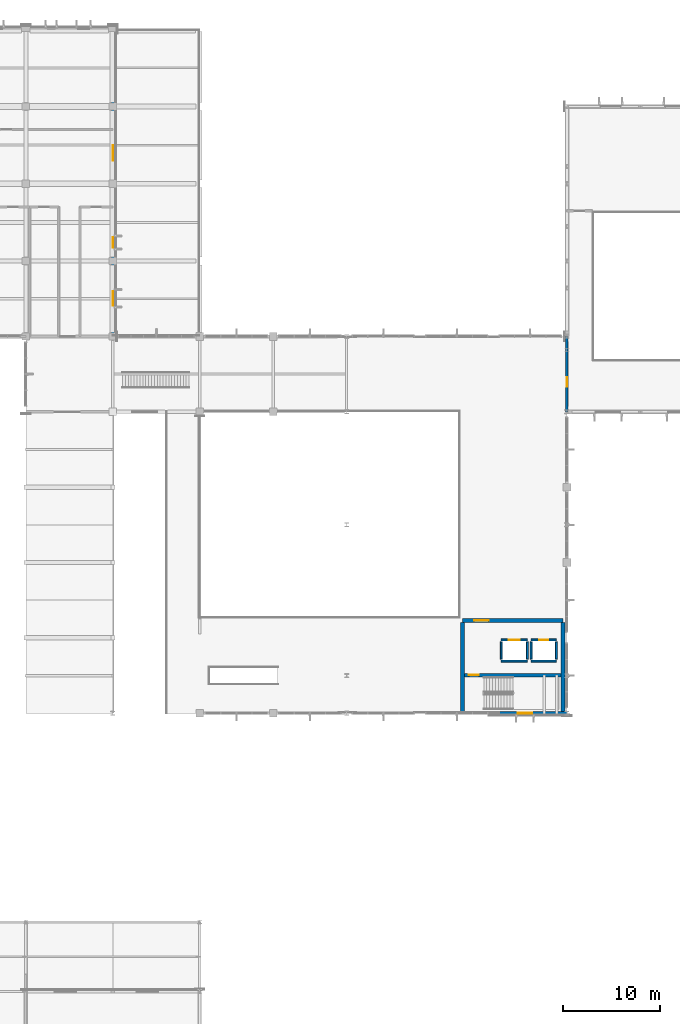
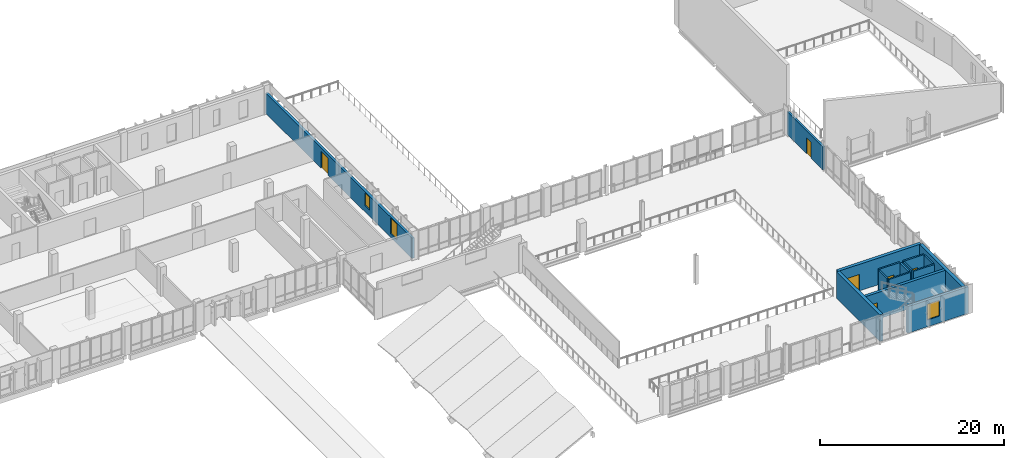
# One storey, part 45 of 64: 15 walls, 6 doors, 3 windows, 9 openings.
"""IFC4 building model written with IfcOpenShell, lengths in metres."""

from ifc_helpers import new_model, si_unit, direction, frame, frame_2d, origin, place, context, subcontext, project, spatial, rectangle, extrude, material, layer, layer_set, type_object, element, fill, save


model = new_model("IFC4")

# Units and contexts
model_context = context("Model", 3, precision=1e-05, world=origin(), true_north=direction((0.0, 1.0)))
body_context = subcontext(model_context, "Body", "Model", "MODEL_VIEW")
ifc_project = project(units=[si_unit("LENGTHUNIT", "METRE"), si_unit("AREAUNIT", "SQUARE_METRE"), si_unit("VOLUMEUNIT", "CUBIC_METRE"), si_unit("PLANEANGLEUNIT", "RADIAN"), si_unit("MASSUNIT", "GRAM", prefix="KILO")], contexts=[model_context])

# Site, building, storey
site_placement = place(None, origin())
site = spatial("IfcSite", under=ifc_project, at=site_placement, CompositionType="ELEMENT")
building_placement = place(site_placement, origin())
building = spatial("IfcBuilding", under=site, at=building_placement, Name="Vervanel Yard Central Library", CompositionType="ELEMENT")
storey_placement = place(building_placement, frame((0.0, 0.0, 8.93994140625)))
storey = spatial("IfcBuildingStorey", under=building, at=storey_placement, Name="L02", CompositionType="ELEMENT", Elevation=8.93994140625)

# Wall, opening, door
ifc_material_1 = material(Name="Concrete C40/50", Category="concrete")
ifc_layer_1 = layer(ifc_material_1, 0.25, Category="concrete")
ifc_layer_set_1 = layer_set([ifc_layer_1], Name="Concrete C40/50")
wall_type_1 = type_object("IfcWallType", Name="Acoustic Auditorium Wall 250", PredefinedType="PARTITIONING", material=ifc_layer_set_1)
wall_1_placement = place(storey_placement, frame((146.0, 74.39990234375, 0.0), z_axis=(0.0, 0.0, 1.0), x_axis=(0.0, 1.0, 0.0)))
wall_1 = element("IfcWall", 1, at=wall_1_placement, inside=storey, type_object=wall_type_1, Name="L02 Acoustic Auditorium Wall 250 IPART-L02-0088", PredefinedType="PARTITIONING", context=body_context, shape_type="SweptSolid", body=[
    extrude(rectangle(XDim=7.800048828125, YDim=0.25, at=frame_2d((3.89990234375, 0.0))), origin(), (0.0, 0.0, 1.0), 3.0576171875),
])
opening_1_placement = place(wall_1_placement, frame((2.60009765625, 0.0, 0.0)))
opening_1 = element("IfcOpeningElement", 2, at=opening_1_placement, cuts=wall_1, Name="Opening DR-01", PredefinedType="OPENING", context=body_context, shape_type="SweptSolid", body=[
    extrude(rectangle(XDim=1.0, YDim=2.14990234375, at=frame_2d((0.5, 1.074951171875))), frame((0.0, 0.135009765625, 0.0), z_axis=(0.0, -1.0, 0.0), x_axis=(1.0, 0.0, 0.0)), (0.0, 0.0, 1.0), 0.27001953125),
])
ifc_material_2 = material(Name="Solid white oak acoustic joinery", Category="wood")
door_type_1 = type_object("IfcDoorType", Name="Interior Single Door 1000x2150", OperationType="NOTDEFINED", PredefinedType="DOOR", material=ifc_material_2)
door_1_placement = place(opening_1_placement, origin())
door_1 = element("IfcDoor", 3, at=door_1_placement, inside=storey, type_object=door_type_1, Name="L02 Interior Single Door 1000x2150 IDOOR-L02-0069", OperationType="SINGLE_SWING_RIGHT", OverallHeight=2.14990234375, OverallWidth=1.0, PredefinedType="DOOR", context=body_context, shape_type="SweptSolid", body=[
    extrude(rectangle(XDim=1.0, YDim=2.14990234375, at=frame_2d((0.5, 1.074951171875))), frame((0.0, 0.02490234375, 0.0), z_axis=(0.0, -1.0, 0.0), x_axis=(1.0, 0.0, 0.0)), (0.0, 0.0, 1.0), 0.050048828125),
])
fill(opening_1, door_1)

# Wall, openings, windows, door
ifc_material_3 = material(Name="Precast concrete C45/55", Category="concrete")
ifc_layer_2 = layer(ifc_material_3, 0.300048828125, Category="concrete")
ifc_layer_set_2 = layer_set([ifc_layer_2], Name="Precast concrete C45/55")
wall_type_2 = type_object("IfcWallType", Name="Bush-Hammered Precast Cladding Wall 300", PredefinedType="SOLIDWALL", material=ifc_layer_set_2)
wall_2_placement = place(storey_placement, frame((99.0, 82.199951171875, 0.0), z_axis=(0.0, 0.0, 1.0), x_axis=(0.0, 1.0, 0.0)))
wall_2 = element("IfcWall", 4, at=wall_2_placement, inside=storey, type_object=wall_type_2, Name="L02 Bush-Hammered Precast Cladding Wall 300 EWALL-L02-0043", PredefinedType="SOLIDWALL", context=body_context, shape_type="SweptSolid", body=[
    extrude(rectangle(XDim=31.800048828125, YDim=0.300048828125, at=frame_2d((15.89990234375, 0.0))), origin(), (0.0, 0.0, 1.0), 2.695068359375),
])
opening_2_placement = place(wall_2_placement, frame((18.199951171875, 0.0, 0.0)))
opening_2 = element("IfcOpeningElement", 5, at=opening_2_placement, cuts=wall_2, Name="Opening DR-T01", PredefinedType="OPENING", context=body_context, shape_type="SweptSolid", body=[
    extrude(rectangle(XDim=1.60009765625, YDim=2.25, at=frame_2d((0.800048828125, 1.125))), frame((0.0, 0.159912109375, 0.0), z_axis=(0.0, -1.0, 0.0), x_axis=(1.0, 0.0, 0.0)), (0.0, 0.0, 1.0), 0.320068359375),
])
opening_3_placement = place(wall_2_placement, frame((3.199951171875, 0.0, 0.47509765625)))
opening_3 = element("IfcOpeningElement", 6, at=opening_3_placement, cuts=wall_2, Name="Opening WN-02", PredefinedType="OPENING", context=body_context, shape_type="SweptSolid", body=[
    extrude(rectangle(XDim=1.5, YDim=2.10009765625, at=frame_2d((0.75, 1.050048828125))), frame((0.0, 0.159912109375, 0.0), z_axis=(0.0, -1.0, 0.0), x_axis=(1.0, 0.0, 0.0)), (0.0, 0.0, 1.0), 0.320068359375),
])
opening_4_placement = place(wall_2_placement, frame((9.199951171875, 0.0, 0.824951171875)))
opening_4 = element("IfcOpeningElement", 7, at=opening_4_placement, cuts=wall_2, Name="Opening WN-16", PredefinedType="OPENING", context=body_context, shape_type="SweptSolid", body=[
    extrude(rectangle(XDim=1.050048828125, YDim=1.75, at=frame_2d((0.52490234375, 0.875))), frame((0.0, 0.159912109375, 0.0), z_axis=(0.0, -1.0, 0.0), x_axis=(1.0, 0.0, 0.0)), (0.0, 0.0, 1.0), 0.320068359375),
])
ifc_material_4 = material(Name="Double low-E laminated solar-control glass", Category="glass")
window_type_1 = type_object("IfcWindowType", Name="Reading Bay Window 1500x2100", PartitioningType="SINGLE_PANEL", PredefinedType="WINDOW", material=ifc_material_4)
window_1_placement = place(opening_3_placement, origin())
window_1 = element("IfcWindow", 8, at=window_1_placement, inside=storey, type_object=window_type_1, Name="L02 Reading Bay Window 1500x2100 60", OverallHeight=2.10009765625, OverallWidth=1.5, PartitioningType="SINGLE_PANEL", PredefinedType="WINDOW", context=body_context, shape_type="SweptSolid", body=[
    extrude(rectangle(XDim=1.5, YDim=2.10009765625, at=frame_2d((0.75, 1.050048828125))), frame((0.0, 0.030029296875, 0.0), z_axis=(0.0, -1.0, 0.0), x_axis=(1.0, 0.0, 0.0)), (0.0, 0.0, 1.0), 0.06005859375),
])
fill(opening_3, window_1)
ifc_material_5 = material(Name="Thermally broken anodized aluminium 6063-T6", Category="aluminium")
door_type_2 = type_object("IfcDoorType", Name="Roof Garden Terrace Double Door 1600x2250", OperationType="NOTDEFINED", PredefinedType="DOOR", material=ifc_material_5)
door_2_placement = place(opening_2_placement, frame((1.60009765625, 0.0, 0.0), z_axis=(0.0, 0.0, 1.0), x_axis=(-1.0, 0.0, 0.0)))
door_2 = element("IfcDoor", 9, at=door_2_placement, inside=storey, type_object=door_type_2, Name="L02 Roof Garden Terrace Double Door 1600x2250 10", OperationType="DOUBLE_DOOR_SINGLE_SWING", OverallHeight=2.25, OverallWidth=1.60009765625, PredefinedType="DOOR", context=body_context, shape_type="SweptSolid", body=[
    extrude(rectangle(XDim=1.60009765625, YDim=2.25, at=frame_2d((0.800048828125, 1.125))), frame((0.0, 0.02490234375, 0.0), z_axis=(0.0, -1.0, 0.0), x_axis=(1.0, 0.0, 0.0)), (0.0, 0.0, 1.0), 0.050048828125),
])
fill(opening_2, door_2)
window_type_2 = type_object("IfcWindowType", Name="Study Carrel Punch Window 1050x1750", PartitioningType="SINGLE_PANEL", PredefinedType="WINDOW", material=ifc_material_4)
window_2_placement = place(opening_4_placement, origin())
window_2 = element("IfcWindow", 10, at=window_2_placement, inside=storey, type_object=window_type_2, Name="L02 Study Carrel Punch Window 1050x1750 61", OverallHeight=1.75, OverallWidth=1.050048828125, PartitioningType="SINGLE_PANEL", PredefinedType="WINDOW", context=body_context, shape_type="SweptSolid", body=[
    extrude(rectangle(XDim=1.050048828125, YDim=1.75, at=frame_2d((0.52490234375, 0.875))), frame((0.0, 0.030029296875, 0.0), z_axis=(0.0, -1.0, 0.0), x_axis=(1.0, 0.0, 0.0)), (0.0, 0.0, 1.0), 0.06005859375),
])
fill(opening_4, window_2)

# Wall, opening, door
ifc_material_6 = material(Name="Concrete C45/55", Category="concrete")
ifc_layer_3 = layer(ifc_material_6, 0.39990234375, Category="concrete")
ifc_layer_set_3 = layer_set([ifc_layer_3], Name="Concrete C45/55")
wall_type_3 = type_object("IfcWallType", Name="Core Primary Shear Wall 400", PredefinedType="SHEAR", material=ifc_layer_set_3)
wall_3_placement = place(storey_placement, frame((135.199951171875, 52.800048828125, 0.0), z_axis=(0.0, 0.0, 1.0), x_axis=(1.0, 0.0, 0.0)))
wall_3 = element("IfcWall", 11, at=wall_3_placement, inside=storey, type_object=wall_type_3, Name="L02 CORE-E Shear Wall N", PredefinedType="SHEAR", context=body_context, shape_type="SweptSolid", body=[
    extrude(rectangle(XDim=10.400146484375, YDim=0.39990234375, at=frame_2d((5.2001953125, 0.0))), origin(), (0.0, 0.0, 1.0), 3.530029296875),
])
opening_5_placement = place(wall_3_placement, frame((1.199951171875, 0.0, 0.0)))
opening_5 = element("IfcOpeningElement", 12, at=opening_5_placement, cuts=wall_3, Name="Opening DR-F02", PredefinedType="OPENING", context=body_context, shape_type="SweptSolid", body=[
    extrude(rectangle(XDim=1.5, YDim=2.199951171875, at=frame_2d((0.75, 1.10009765625))), frame((0.0, 0.2099609375, 0.0), z_axis=(0.0, -1.0, 0.0), x_axis=(1.0, 0.0, 0.0)), (0.0, 0.0, 1.0), 0.419921875),
])
ifc_material_7 = material(Name="Galvanized painted steelwork ASTM A500 Grade C", Category="steel")
door_type_3 = type_object("IfcDoorType", Name="Fire-Rated Lobby Door 1500x2200", OperationType="NOTDEFINED", PredefinedType="DOOR", material=ifc_material_7)
door_3_placement = place(opening_5_placement, origin())
door_3 = element("IfcDoor", 13, at=door_3_placement, inside=storey, type_object=door_type_3, Name="L02 CORE-E Lobby Fire Door", OperationType="DOUBLE_DOOR_SINGLE_SWING", OverallHeight=2.199951171875, OverallWidth=1.5, PredefinedType="DOOR", context=body_context, shape_type="SweptSolid", body=[
    extrude(rectangle(XDim=1.5, YDim=2.199951171875, at=frame_2d((0.75, 1.10009765625))), frame((0.0, 0.02490234375, 0.0), z_axis=(0.0, -1.0, 0.0), x_axis=(1.0, 0.0, 0.0)), (0.0, 0.0, 1.0), 0.050048828125),
])
fill(opening_5, door_3)

# Walls
for number, where, z_axis, x_axis, name in (
    (14, (135.199951171875, 43.199951171875, 0.0), (0.0, 0.0, 1.0), (0.0, 1.0, 0.0), "L02 CORE-E Shear Wall W"),
    (15, (145.60009765625, 43.199951171875, 0.0), (0.0, 0.0, 1.0), (0.0, 1.0, 0.0), "L02 CORE-E Shear Wall E"),
):
    element("IfcWall", number, at=place(storey_placement, frame(where, z_axis=z_axis, x_axis=x_axis)), inside=storey, type_object=wall_type_3, Name=name, PredefinedType="SHEAR", context=body_context, shape_type="SweptSolid", body=[
        extrude(rectangle(XDim=9.400146484375, YDim=0.39990234375, at=frame_2d((4.7001953125, 0.0))), origin(), (0.0, 0.0, 1.0), 3.530029296875),
    ])

# Wall, opening, door
ifc_layer_4 = layer(ifc_material_6, 0.35009765625, Category="concrete")
ifc_layer_set_4 = layer_set([ifc_layer_4], Name="Concrete C45/55")
wall_type_4 = type_object("IfcWallType", Name="Core Secondary Shear Wall 350", PredefinedType="SHEAR", material=ifc_layer_set_4)
wall_4_placement = place(storey_placement, frame((135.39990234375, 47.135009765625, 0.0), z_axis=(0.0, 0.0, 1.0), x_axis=(1.0, 0.0, 0.0)))
wall_4 = element("IfcWall", 16, at=wall_4_placement, inside=storey, type_object=wall_type_4, Name="L02 CORE-E Stair Shaft Wall", PredefinedType="SHEAR", context=body_context, shape_type="SweptSolid", body=[
    extrude(rectangle(XDim=10.0, YDim=0.35009765625, at=frame_2d((5.0, 0.0))), origin(), (0.0, 0.0, 1.0), 3.530029296875),
])
opening_6_placement = place(wall_4_placement, frame((0.449951171875, 0.0, 0.0)))
opening_6 = element("IfcOpeningElement", 17, at=opening_6_placement, cuts=wall_4, Name="Opening DR-F01", PredefinedType="OPENING", context=body_context, shape_type="SweptSolid", body=[
    extrude(rectangle(XDim=1.050048828125, YDim=2.199951171875, at=frame_2d((0.52490234375, 1.10009765625))), frame((0.0, 0.18505859375, 0.0), z_axis=(0.0, -1.0, 0.0), x_axis=(1.0, 0.0, 0.0)), (0.0, 0.0, 1.0), 0.3701171875),
])
door_type_4 = type_object("IfcDoorType", Name="Fire-Rated Stair Exit Door 1050x2200", OperationType="NOTDEFINED", PredefinedType="DOOR", material=ifc_material_7)
door_4_placement = place(opening_6_placement, origin())
door_4 = element("IfcDoor", 18, at=door_4_placement, inside=storey, type_object=door_type_4, Name="L02 CORE-E Stair Door", OperationType="SINGLE_SWING_LEFT", OverallHeight=2.199951171875, OverallWidth=1.050048828125, PredefinedType="DOOR", context=body_context, shape_type="SweptSolid", body=[
    extrude(rectangle(XDim=1.050048828125, YDim=2.199951171875, at=frame_2d((0.52490234375, 1.10009765625))), frame((0.0, 0.02490234375, 0.0), z_axis=(0.0, -1.0, 0.0), x_axis=(1.0, 0.0, 0.0)), (0.0, 0.0, 1.0), 0.050048828125),
])
fill(opening_6, door_4)

# Wall, opening, window
ifc_layer_5 = layer(ifc_material_6, 0.340087890625, Category="concrete")
ifc_layer_set_5 = layer_set([ifc_layer_5], Name="Concrete C45/55")
wall_type_5 = type_object("IfcWallType", Name="Exterior Bearing Concrete Frame Wall 340", PredefinedType="SOLIDWALL", material=ifc_layer_set_5)
wall_5_placement = place(storey_placement, frame((138.39990234375, 43.199951171875, 0.0), z_axis=(0.0, 0.0, 1.0), x_axis=(1.0, 0.0, 0.0)))
wall_5 = element("IfcWall", 19, at=wall_5_placement, inside=storey, type_object=wall_type_5, Name="L02 Exterior Bearing Concrete Frame Wall 340 EWALL-L02-0164", PredefinedType="SOLIDWALL", context=body_context, shape_type="SweptSolid", body=[
    extrude(rectangle(XDim=7.60009765625, YDim=0.340087890625, at=frame_2d((3.800048828125, 0.0))), origin(), (0.0, 0.0, 1.0), 3.530029296875),
])
opening_7_placement = place(wall_5_placement, frame((2.5, 0.0, 0.89990234375)))
opening_7 = element("IfcOpeningElement", 20, at=opening_7_placement, cuts=wall_5, Name="Opening WN-02", PredefinedType="OPENING", context=body_context, shape_type="SweptSolid", body=[
    extrude(rectangle(XDim=1.5, YDim=2.10009765625, at=frame_2d((0.75, 1.050048828125))), frame((0.0, 0.179931640625, 0.0), z_axis=(0.0, -1.0, 0.0), x_axis=(1.0, 0.0, 0.0)), (0.0, 0.0, 1.0), 0.360107421875),
])
window_3_placement = place(opening_7_placement, origin())
window_3 = element("IfcWindow", 21, at=window_3_placement, inside=storey, type_object=window_type_1, Name="L02 Reading Bay Window 1500x2100 215", OverallHeight=2.10009765625, OverallWidth=1.5, PartitioningType="SINGLE_PANEL", PredefinedType="WINDOW", context=body_context, shape_type="SweptSolid", body=[
    extrude(rectangle(XDim=1.5, YDim=2.10009765625, at=frame_2d((0.75, 1.050048828125))), frame((0.0, 0.030029296875, 0.0), z_axis=(0.0, -1.0, 0.0), x_axis=(1.0, 0.0, 0.0)), (0.0, 0.0, 1.0), 0.06005859375),
])
fill(opening_7, window_3)

# Wall
ifc_layer_6 = layer(ifc_material_1, 0.199951171875, Category="concrete")
ifc_layer_set_6 = layer_set([ifc_layer_6], Name="Concrete C40/50")
wall_type_6 = type_object("IfcWallType", Name="Shaft & Plant Rated Wall 200", PredefinedType="PARTITIONING", material=ifc_layer_set_6)
wall_6_placement = place(storey_placement, frame((139.199951171875, 48.60009765625, 0.0), z_axis=(0.0, 0.0, 1.0), x_axis=(1.0, 0.0, 0.0)))
element("IfcWall", 22, at=wall_6_placement, inside=storey, type_object=wall_type_6, Name="L02 CORE-E-L02-EL-05 Shaft Wall S", PredefinedType="PARTITIONING", context=body_context, shape_type="SweptSolid", body=[
    extrude(rectangle(XDim=2.699951171875, YDim=0.199951171875, at=frame_2d((1.35009765625, 0.0))), origin(), (0.0, 0.0, 1.0), 3.530029296875),
])

# Wall, opening, door
wall_7_placement = place(storey_placement, frame((139.199951171875, 50.800048828125, 0.0), z_axis=(0.0, 0.0, 1.0), x_axis=(1.0, 0.0, 0.0)))
wall_7 = element("IfcWall", 23, at=wall_7_placement, inside=storey, type_object=wall_type_6, Name="L02 CORE-E-L02-EL-05 Shaft Wall N", PredefinedType="PARTITIONING", context=body_context, shape_type="SweptSolid", body=[
    extrude(rectangle(XDim=2.699951171875, YDim=0.199951171875, at=frame_2d((1.35009765625, 0.0))), origin(), (0.0, 0.0, 1.0), 3.530029296875),
])
opening_8_placement = place(wall_7_placement, frame((0.800048828125, 0.0, 0.0)))
opening_8 = element("IfcOpeningElement", 24, at=opening_8_placement, cuts=wall_7, Name="Opening LD-01", PredefinedType="OPENING", context=body_context, shape_type="SweptSolid", body=[
    extrude(rectangle(XDim=1.10009765625, YDim=2.14990234375, at=frame_2d((0.550048828125, 1.074951171875))), frame((0.0, 0.10986328125, 0.0), z_axis=(0.0, -1.0, 0.0), x_axis=(1.0, 0.0, 0.0)), (0.0, 0.0, 1.0), 0.219970703125),
])
ifc_material_8 = material(Name="Brushed stainless steel AISI 316", Category="steel")
door_type_5 = type_object("IfcDoorType", Name="Passenger Lift Sliding Landing Door 1100x2150", OperationType="NOTDEFINED", PredefinedType="DOOR", material=ifc_material_8)
door_5_placement = place(opening_8_placement, origin())
door_5 = element("IfcDoor", 25, at=door_5_placement, inside=storey, type_object=door_type_5, Name="L02 Lift EL-05 Landing Door", OperationType="SLIDING_TO_LEFT", OverallHeight=2.14990234375, OverallWidth=1.10009765625, PredefinedType="DOOR", context=body_context, shape_type="SweptSolid", body=[
    extrude(rectangle(XDim=1.10009765625, YDim=2.14990234375, at=frame_2d((0.550048828125, 1.074951171875))), frame((0.0, 0.02490234375, 0.0), z_axis=(0.0, -1.0, 0.0), x_axis=(1.0, 0.0, 0.0)), (0.0, 0.0, 1.0), 0.050048828125),
])
fill(opening_8, door_5)

# Walls
for number, where, z_axis, x_axis, name in (
    (26, (139.199951171875, 48.800048828125, 0.0), (0.0, 0.0, 1.0), (0.0, 1.0, 0.0), "L02 CORE-E-L02-EL-05 Shaft Wall W"),
    (27, (141.89990234375, 48.800048828125, 0.0), (0.0, 0.0, 1.0), (0.0, 1.0, 0.0), "L02 CORE-E-L02-EL-05 Shaft Wall E"),
):
    element("IfcWall", number, at=place(storey_placement, frame(where, z_axis=z_axis, x_axis=x_axis)), inside=storey, type_object=wall_type_6, Name=name, PredefinedType="PARTITIONING", context=body_context, shape_type="SweptSolid", body=[
        extrude(rectangle(XDim=1.800048828125, YDim=0.199951171875, at=frame_2d((0.89990234375, 0.0))), origin(), (0.0, 0.0, 1.0), 3.530029296875),
    ])
wall_8_placement = place(storey_placement, frame((142.300048828125, 48.60009765625, 0.0), z_axis=(0.0, 0.0, 1.0), x_axis=(1.0, 0.0, 0.0)))
element("IfcWall", 28, at=wall_8_placement, inside=storey, type_object=wall_type_6, Name="L02 CORE-E-L02-RIS Shaft Wall S", PredefinedType="PARTITIONING", context=body_context, shape_type="SweptSolid", body=[
    extrude(rectangle(XDim=2.599853515625, YDim=0.199951171875, at=frame_2d((1.2998046875, 0.0))), origin(), (0.0, 0.0, 1.0), 3.530029296875),
])

# Wall, opening, door
wall_9_placement = place(storey_placement, frame((142.300048828125, 50.800048828125, 0.0), z_axis=(0.0, 0.0, 1.0), x_axis=(1.0, 0.0, 0.0)))
wall_9 = element("IfcWall", 29, at=wall_9_placement, inside=storey, type_object=wall_type_6, Name="L02 CORE-E-L02-RIS Shaft Wall N", PredefinedType="PARTITIONING", context=body_context, shape_type="SweptSolid", body=[
    extrude(rectangle(XDim=2.599853515625, YDim=0.199951171875, at=frame_2d((1.2998046875, 0.0))), origin(), (0.0, 0.0, 1.0), 3.530029296875),
])
opening_9_placement = place(wall_9_placement, frame((0.85009765625, 0.0, 0.0)))
opening_9 = element("IfcOpeningElement", 30, at=opening_9_placement, cuts=wall_9, Name="Opening DR-03", PredefinedType="OPENING", context=body_context, shape_type="SweptSolid", body=[
    extrude(rectangle(XDim=0.89990234375, YDim=2.10009765625, at=frame_2d((0.449951171875, 1.050048828125))), frame((0.0, 0.10986328125, 0.0), z_axis=(0.0, -1.0, 0.0), x_axis=(1.0, 0.0, 0.0)), (0.0, 0.0, 1.0), 0.219970703125),
])
door_type_6 = type_object("IfcDoorType", Name="Interior Riser Access Door 900x2100", OperationType="NOTDEFINED", PredefinedType="DOOR", material=ifc_material_7)
door_6_placement = place(opening_9_placement, origin())
door_6 = element("IfcDoor", 31, at=door_6_placement, inside=storey, type_object=door_type_6, Name="L02 CORE-E Riser Access Door", OperationType="SINGLE_SWING_LEFT", OverallHeight=2.10009765625, OverallWidth=0.89990234375, PredefinedType="DOOR", context=body_context, shape_type="SweptSolid", body=[
    extrude(rectangle(XDim=0.89990234375, YDim=2.10009765625, at=frame_2d((0.449951171875, 1.050048828125))), frame((0.0, 0.02490234375, 0.0), z_axis=(0.0, -1.0, 0.0), x_axis=(1.0, 0.0, 0.0)), (0.0, 0.0, 1.0), 0.050048828125),
])
fill(opening_9, door_6)

# Walls
for number, where, z_axis, x_axis, name in (
    (32, (142.300048828125, 48.800048828125, 0.0), (0.0, 0.0, 1.0), (0.0, 1.0, 0.0), "L02 CORE-E-L02-RIS Shaft Wall W"),
    (33, (144.89990234375, 48.800048828125, 0.0), (0.0, 0.0, 1.0), (0.0, 1.0, 0.0), "L02 CORE-E-L02-RIS Shaft Wall E"),
):
    element("IfcWall", number, at=place(storey_placement, frame(where, z_axis=z_axis, x_axis=x_axis)), inside=storey, type_object=wall_type_6, Name=name, PredefinedType="PARTITIONING", context=body_context, shape_type="SweptSolid", body=[
        extrude(rectangle(XDim=1.800048828125, YDim=0.199951171875, at=frame_2d((0.89990234375, 0.0))), origin(), (0.0, 0.0, 1.0), 3.530029296875),
    ])

save(model, "model.ifc")
